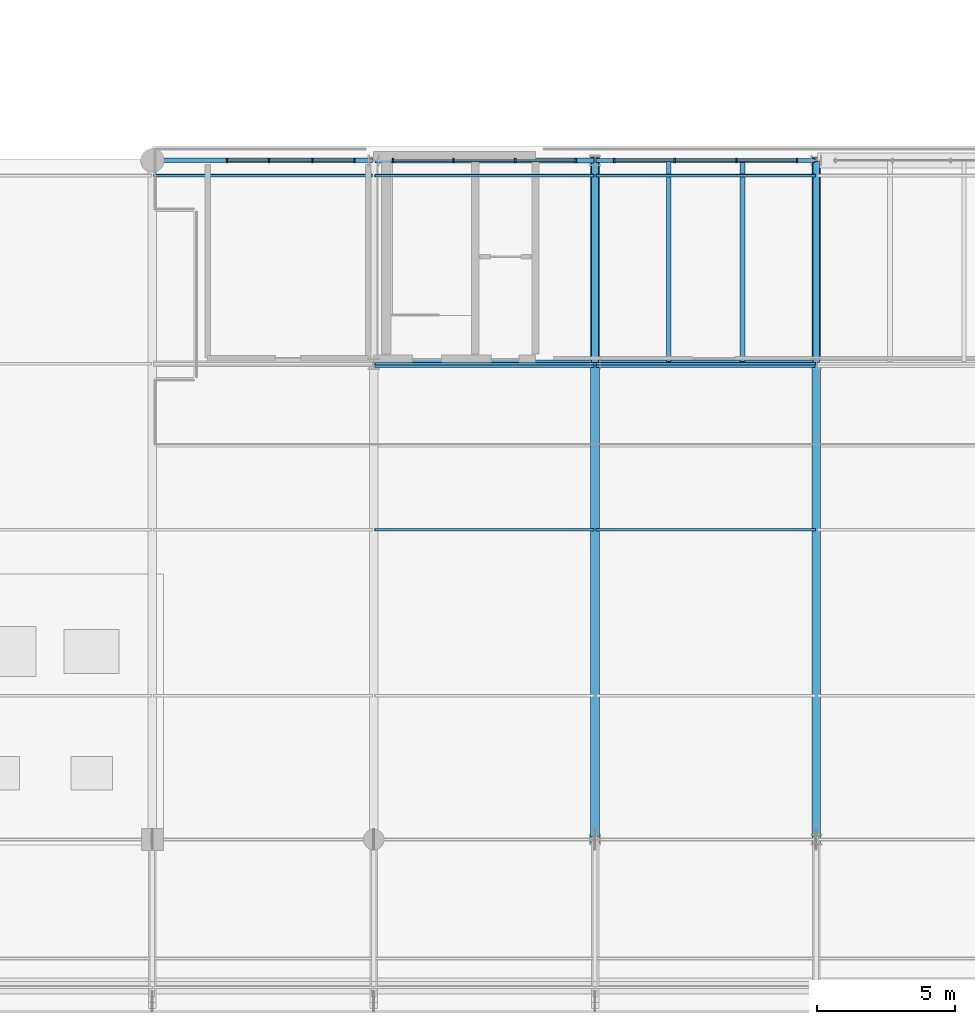
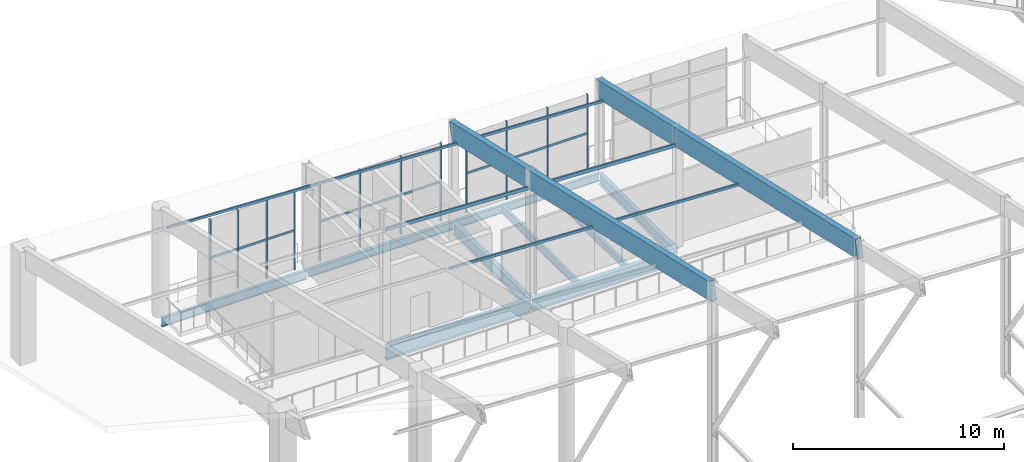
# One storey, part 15 of 51: 28 members, 11 beams, 3 elements without a shape of their own.
"""IFC4 building model written with IfcOpenShell, lengths in metres."""

from ifc_helpers import new_model, si_unit, direction, frame, origin, origin_2d, place, context, subcontext, project, spatial, rectangle, hollow_rectangle, i_section, extrude, material, material_profile, profile_set, type_object, element, aggregate, save


model = new_model("IFC4")

# Units and contexts
model_context = context("Model", 3, precision=1e-05, world=origin(), true_north=direction((0.0, 1.0)))
body_context = subcontext(model_context, "Body", "Model", "MODEL_VIEW")
ifc_project = project(units=[si_unit("LENGTHUNIT", "METRE"), si_unit("AREAUNIT", "SQUARE_METRE"), si_unit("VOLUMEUNIT", "CUBIC_METRE"), si_unit("PLANEANGLEUNIT", "RADIAN"), si_unit("MASSUNIT", "GRAM", prefix="KILO")], contexts=[model_context])

# Site, building, storey
site_placement = place(None, origin())
site = spatial("IfcSite", under=ifc_project, at=site_placement, CompositionType="ELEMENT")
building_placement = place(site_placement, origin())
building = spatial("IfcBuilding", under=site, at=building_placement, Name="Brisemont Oceanarium", CompositionType="ELEMENT")
storey_placement = place(building_placement, frame((0.0, 0.0, 15.0)))
storey = spatial("IfcBuildingStorey", under=building, at=storey_placement, Name="L03", CompositionType="ELEMENT", Elevation=15.0)

# Beams
ifc_material_1 = material(Name="Glulam Timber 24F-V4 DF", Category="wood")
ifc_material_profile_1 = material_profile(ifc_material_1, rectangle(XDim=0.31103515625, YDim=1.06689453125, at=origin_2d()), Name="GL-311X1067")
ifc_profile_set_1 = profile_set([ifc_material_profile_1], Name="Glulam Timber 24F-V4 DF")
beam_type_1 = type_object("IfcBeamType", Name="BM-GL311X1067", PredefinedType="BEAM", material=ifc_profile_set_1)
for number, where, z_axis, x_axis, name in (
    (1, (32.0, 6.800048828125, 10.585205078125), (0.0, 0.974789933818, -0.223124595072), (-1.0, 0.0, 0.0), "V2 upswept hall exposed glulam main rafter 4"),
    (2, (40.0, 6.800048828125, 10.243408203125), (0.0, 0.974789933818, -0.223124595072), (-1.0, 0.0, 0.0), "V2 upswept hall exposed glulam main rafter 5"),
):
    element("IfcBeam", number, at=place(storey_placement, frame(where, z_axis=z_axis, x_axis=x_axis)), inside=storey, type_object=beam_type_1, Name=name, PredefinedType="BEAM", context=body_context, shape_type="SweptSolid", body=[
        extrude(rectangle(XDim=0.31103515625, YDim=1.06689453125, at=origin_2d()), origin(), (0.0, 0.0, 1.0), 25.18505859375),
    ])
ifc_material_2 = material(Name="Structural Steel ASTM A992 Gr.50", Category="steel")
ifc_material_profile_2 = material_profile(ifc_material_2, i_section(OverallWidth=0.177978515625, OverallDepth=0.404052734375, WebThickness=0.007568359375, FlangeThickness=0.010986328125, FilletRadius=0.010009765625, at=origin_2d()), Name="W16X36")
ifc_profile_set_2 = profile_set([ifc_material_profile_2], Name="Structural Steel ASTM A992 Gr.50")
beam_type_2 = type_object("IfcBeamType", Name="BM-W16X36", PredefinedType="JOIST", material=ifc_profile_set_2)
beam_1_placement = place(storey_placement, frame((37.333251953125, 24.090087890625, -0.44189453125), z_axis=(0.0, 1.0, 0.0), x_axis=(-1.0, 0.0, 0.0)))
element("IfcBeam", 3, at=beam_1_placement, inside=storey, type_object=beam_type_2, Name="V2 L03 secondary floor beam", PredefinedType="JOIST", context=body_context, shape_type="SweptSolid", body=[
    extrude(i_section(OverallWidth=0.177978515625, OverallDepth=0.404052734375, WebThickness=0.007568359375, FlangeThickness=0.010986328125, FilletRadius=0.010009765625, at=origin_2d()), origin(), (0.0, 0.0, 1.0), 7.219970703125),
])
ifc_material_3 = material(Name="Structural Steel ASTM A992 Gr.50", Category="steel")
ifc_material_profile_3 = material_profile(ifc_material_3, i_section(OverallWidth=0.153076171875, OverallDepth=0.455078125, WebThickness=0.008056640625, FlangeThickness=0.01318359375, FilletRadius=0.010986328125, at=origin_2d()), Name="W18X40")
ifc_profile_set_3 = profile_set([ifc_material_profile_3], Name="Structural Steel ASTM A992 Gr.50")
beam_type_3 = type_object("IfcBeamType", Name="BM-W18X40", PredefinedType="JOIST", material=ifc_profile_set_3)
beam_2_placement = place(storey_placement, frame((34.666748046875, 24.090087890625, -0.467529296875), z_axis=(0.0, 1.0, 0.0), x_axis=(-1.0, 0.0, 0.0)))
element("IfcBeam", 4, at=beam_2_placement, inside=storey, type_object=beam_type_3, Name="V2 L03 secondary floor beam", PredefinedType="JOIST", context=body_context, shape_type="SweptSolid", body=[
    extrude(i_section(OverallWidth=0.153076171875, OverallDepth=0.455078125, WebThickness=0.008056640625, FlangeThickness=0.01318359375, FilletRadius=0.010986328125, at=origin_2d()), origin(), (0.0, 0.0, 1.0), 7.219970703125),
])
ifc_material_4 = material(Name="Structural Steel ASTM A992 Gr.50", Category="steel")
ifc_material_profile_4 = material_profile(ifc_material_4, i_section(OverallWidth=0.154052734375, OverallDepth=0.458984375, WebThickness=0.009033203125, FlangeThickness=0.015380859375, FilletRadius=0.010986328125, at=origin_2d()), Name="W18X46")
ifc_profile_set_4 = profile_set([ifc_material_profile_4], Name="Structural Steel ASTM A992 Gr.50")
beam_type_4 = type_object("IfcBeamType", Name="BM-W18X46", PredefinedType="SPANDREL", material=ifc_profile_set_4)
beam_3_placement = place(storey_placement, frame((32.0400390625, 31.35009765625, -0.469482421875), z_axis=(1.0, 0.0, 0.0), x_axis=(0.0, 1.0, 0.0)))
element("IfcBeam", 5, at=beam_3_placement, inside=storey, type_object=beam_type_4, Name="V2 L03 EW girder", PredefinedType="SPANDREL", context=body_context, shape_type="SweptSolid", body=[
    extrude(i_section(OverallWidth=0.154052734375, OverallDepth=0.458984375, WebThickness=0.009033203125, FlangeThickness=0.015380859375, FilletRadius=0.010986328125, at=origin_2d()), origin(), (0.0, 0.0, 1.0), 7.919921875),
])
ifc_material_5 = material(Name="Structural Steel ASTM A992 Gr.50", Category="steel")
ifc_material_profile_5 = material_profile(ifc_material_5, i_section(OverallWidth=0.19091796875, OverallDepth=0.4599609375, WebThickness=0.010009765625, FlangeThickness=0.01611328125, FilletRadius=0.010986328125, at=origin_2d()), Name="W18X55")
ifc_profile_set_5 = profile_set([ifc_material_profile_5], Name="Structural Steel ASTM A992 Gr.50")
beam_type_5 = type_object("IfcBeamType", Name="BM-W18X55", PredefinedType="SPANDREL", material=ifc_profile_set_5)
beam_4_placement = place(storey_placement, frame((24.0400390625, 31.35009765625, -0.469970703125), z_axis=(1.0, 0.0, 0.0), x_axis=(0.0, 1.0, 0.0)))
element("IfcBeam", 6, at=beam_4_placement, inside=storey, type_object=beam_type_5, Name="V2 L03 EW girder", PredefinedType="SPANDREL", context=body_context, shape_type="SweptSolid", body=[
    extrude(i_section(OverallWidth=0.19091796875, OverallDepth=0.4599609375, WebThickness=0.010009765625, FlangeThickness=0.01611328125, FilletRadius=0.010986328125, at=origin_2d()), origin(), (0.0, 0.0, 1.0), 7.919921875),
])
ifc_material_6 = material(Name="Structural Steel ASTM A992 Gr.50", Category="steel")
ifc_material_profile_6 = material_profile(ifc_material_6, i_section(OverallWidth=0.166015625, OverallDepth=0.528076171875, WebThickness=0.009765625, FlangeThickness=0.013671875, FilletRadius=0.012939453125, at=origin_2d()), Name="W21X50")
ifc_profile_set_6 = profile_set([ifc_material_profile_6], Name="Structural Steel ASTM A992 Gr.50")
beam_type_6 = type_object("IfcBeamType", Name="BM-W21X50", PredefinedType="SPANDREL", material=ifc_profile_set_6)
beam_5_placement = place(storey_placement, frame((16.0400390625, 31.35009765625, -0.50390625), z_axis=(1.0, 0.0, 0.0), x_axis=(0.0, 1.0, 0.0)))
element("IfcBeam", 7, at=beam_5_placement, inside=storey, type_object=beam_type_6, Name="V2 L03 EW girder", PredefinedType="SPANDREL", context=body_context, shape_type="SweptSolid", body=[
    extrude(i_section(OverallWidth=0.166015625, OverallDepth=0.528076171875, WebThickness=0.009765625, FlangeThickness=0.013671875, FilletRadius=0.012939453125, at=origin_2d()), origin(), (0.0, 0.0, 1.0), 7.919921875),
])
ifc_material_7 = material(Name="Structural Steel ASTM A992 Gr.50", Category="steel")
ifc_material_profile_7 = material_profile(ifc_material_7, i_section(OverallWidth=0.22900390625, OverallDepth=0.612060546875, WebThickness=0.011962890625, FlangeThickness=0.01953125, FilletRadius=0.012939453125, at=origin_2d()), Name="W24X84")
ifc_profile_set_7 = profile_set([ifc_material_profile_7], Name="Structural Steel ASTM A992 Gr.50")
beam_type_7 = type_object("IfcBeamType", Name="BM-W24X84", PredefinedType="BEAM", material=ifc_profile_set_7)
beam_6_placement = place(storey_placement, frame((40.0, 24.0400390625, -0.5458984375), z_axis=(0.0, 1.0, 0.0), x_axis=(-1.0, 0.0, 0.0)))
element("IfcBeam", 8, at=beam_6_placement, inside=storey, type_object=beam_type_7, Name="V2 L03 NS girder", PredefinedType="BEAM", context=body_context, shape_type="SweptSolid", body=[
    extrude(i_section(OverallWidth=0.22900390625, OverallDepth=0.612060546875, WebThickness=0.011962890625, FlangeThickness=0.01953125, FilletRadius=0.012939453125, at=origin_2d()), origin(), (0.0, 0.0, 1.0), 7.27001953125),
])
ifc_material_8 = material(Name="Structural Steel ASTM A992 Gr.50", Category="steel")
ifc_material_profile_8 = material_profile(ifc_material_8, i_section(OverallWidth=0.2529296875, OverallDepth=0.677978515625, WebThickness=0.01171875, FlangeThickness=0.016357421875, FilletRadius=0.014892578125, at=origin_2d()), Name="W27X84")
ifc_profile_set_8 = profile_set([ifc_material_profile_8], Name="Structural Steel ASTM A992 Gr.50")
beam_type_8 = type_object("IfcBeamType", Name="BM-W27X84", PredefinedType="BEAM", material=ifc_profile_set_8)
beam_7_placement = place(storey_placement, frame((32.0, 24.0400390625, -0.5791015625), z_axis=(0.0, 1.0, 0.0), x_axis=(-1.0, 0.0, 0.0)))
element("IfcBeam", 9, at=beam_7_placement, inside=storey, type_object=beam_type_8, Name="V2 L03 NS girder", PredefinedType="BEAM", context=body_context, shape_type="SweptSolid", body=[
    extrude(i_section(OverallWidth=0.2529296875, OverallDepth=0.677978515625, WebThickness=0.01171875, FlangeThickness=0.016357421875, FilletRadius=0.014892578125, at=origin_2d()), origin(), (0.0, 0.0, 1.0), 7.27001953125),
])
ifc_material_9 = material(Name="Structural Steel ASTM A992 Gr.50", Category="steel")
ifc_material_profile_9 = material_profile(ifc_material_9, i_section(OverallWidth=0.26708984375, OverallDepth=0.761962890625, WebThickness=0.014404296875, FlangeThickness=0.021484375, FilletRadius=0.01611328125, at=origin_2d()), Name="W30X116")
ifc_profile_set_9 = profile_set([ifc_material_profile_9], Name="Structural Steel ASTM A992 Gr.50")
beam_type_9 = type_object("IfcBeamType", Name="BM-W30X116", PredefinedType="BEAM", material=ifc_profile_set_9)
beam_8_placement = place(storey_placement, frame((24.0400390625, 24.0, -0.62109375), z_axis=(1.0, 0.0, 0.0), x_axis=(0.0, 1.0, 0.0)))
element("IfcBeam", 10, at=beam_8_placement, inside=storey, type_object=beam_type_9, Name="V2 L03 EW girder", PredefinedType="BEAM", context=body_context, shape_type="SweptSolid", body=[
    extrude(i_section(OverallWidth=0.26708984375, OverallDepth=0.761962890625, WebThickness=0.014404296875, FlangeThickness=0.021484375, FilletRadius=0.01611328125, at=origin_2d()), origin(), (0.0, 0.0, 1.0), 7.919921875),
])
ifc_material_10 = material(Name="Structural Steel ASTM A992 Gr.50", Category="steel")
ifc_material_profile_10 = material_profile(ifc_material_10, i_section(OverallWidth=0.264892578125, OverallDepth=0.7529296875, WebThickness=0.01318359375, FlangeThickness=0.01708984375, FilletRadius=0.01611328125, at=origin_2d()), Name="W30X99")
ifc_profile_set_10 = profile_set([ifc_material_profile_10], Name="Structural Steel ASTM A992 Gr.50")
beam_type_10 = type_object("IfcBeamType", Name="BM-W30X99", PredefinedType="BEAM", material=ifc_profile_set_10)
beam_9_placement = place(storey_placement, frame((32.0400390625, 24.0, -0.616455078125), z_axis=(1.0, 0.0, 0.0), x_axis=(0.0, 1.0, 0.0)))
element("IfcBeam", 11, at=beam_9_placement, inside=storey, type_object=beam_type_10, Name="V2 L03 EW girder", PredefinedType="BEAM", context=body_context, shape_type="SweptSolid", body=[
    extrude(i_section(OverallWidth=0.264892578125, OverallDepth=0.7529296875, WebThickness=0.01318359375, FlangeThickness=0.01708984375, FilletRadius=0.01611328125, at=origin_2d()), origin(), (0.0, 0.0, 1.0), 7.919921875),
])

# Curtain wall, members
ifc_material_11 = material(Name="Anodized Extruded Aluminum 6063-T6", Category="aluminium")
curtain_wall_type = type_object("IfcCurtainWallType", Name="CW-CLR-58X36", PredefinedType="NOTDEFINED", material=ifc_material_11)
curtain_wall_1_placement = place(storey_placement, origin())
curtain_wall_1 = element("IfcCurtainWall", 12, at=curtain_wall_1_placement, inside=storey, type_object=curtain_wall_type, Name="CW-21 curtain wall CW-V2-N-L03-01", PredefinedType="NOTDEFINED")
ifc_material_12 = material(Name="Anodized Extruded Aluminum 6063-T6", Category="aluminium")
ifc_material_profile_11 = material_profile(ifc_material_12, rectangle(XDim=0.06005859375, YDim=0.14990234375, at=origin_2d()), Name="CWM-60X150")
ifc_profile_set_11 = profile_set([ifc_material_profile_11], Name="Anodized Extruded Aluminum 6063-T6")
member_type_1 = type_object("IfcMemberType", Name="MEM-CWM-60", PredefinedType="MULLION", material=ifc_profile_set_11)
member_1_placement = place(storey_placement, frame((18.695068359375, 31.35009765625, 0.0), z_axis=(0.0, 0.0, 1.0), x_axis=(1.0, 0.0, 0.0)))
member_1 = element("IfcMember", 13, at=member_1_placement, type_object=member_type_1, Name="CW-V2-N-L03-01 mullion 1", PredefinedType="MULLION", context=body_context, shape_type="SweptSolid", body=[
    extrude(rectangle(XDim=0.06005859375, YDim=0.14990234375, at=origin_2d()), origin(), (0.0, 0.0, 1.0), 4.52001953125),
])
member_2_placement = place(storey_placement, frame((20.216796875, 31.35009765625, 0.0), z_axis=(0.0, 0.0, 1.0), x_axis=(1.0, 0.0, 0.0)))
member_2 = element("IfcMember", 14, at=member_2_placement, type_object=member_type_1, Name="CW-V2-N-L03-01 mullion 2", PredefinedType="MULLION", context=body_context, shape_type="SweptSolid", body=[
    extrude(rectangle(XDim=0.06005859375, YDim=0.14990234375, at=origin_2d()), origin(), (0.0, 0.0, 1.0), 4.52001953125),
])
member_3_placement = place(storey_placement, frame((21.783203125, 31.35009765625, 0.0), z_axis=(0.0, 0.0, 1.0), x_axis=(1.0, 0.0, 0.0)))
member_3 = element("IfcMember", 15, at=member_3_placement, type_object=member_type_1, Name="CW-V2-N-L03-01 mullion 3", PredefinedType="MULLION", context=body_context, shape_type="SweptSolid", body=[
    extrude(rectangle(XDim=0.06005859375, YDim=0.14990234375, at=origin_2d()), origin(), (0.0, 0.0, 1.0), 4.52001953125),
])
member_4_placement = place(storey_placement, frame((23.304931640625, 31.35009765625, 0.0), z_axis=(0.0, 0.0, 1.0), x_axis=(1.0, 0.0, 0.0)))
member_4 = element("IfcMember", 16, at=member_4_placement, type_object=member_type_1, Name="CW-V2-N-L03-01 mullion 4", PredefinedType="MULLION", context=body_context, shape_type="SweptSolid", body=[
    extrude(rectangle(XDim=0.06005859375, YDim=0.14990234375, at=origin_2d()), origin(), (0.0, 0.0, 1.0), 4.52001953125),
])

curtain_wall_2_placement = place(storey_placement, origin())
curtain_wall_2 = element("IfcCurtainWall", 17, at=curtain_wall_2_placement, inside=storey, type_object=curtain_wall_type, Name="CW-21 curtain wall CW-V2-N-L03-02", PredefinedType="NOTDEFINED")
member_5_placement = place(storey_placement, frame((24.695068359375, 31.35009765625, 0.0), z_axis=(0.0, 0.0, 1.0), x_axis=(1.0, 0.0, 0.0)))
member_5 = element("IfcMember", 18, at=member_5_placement, type_object=member_type_1, Name="CW-V2-N-L03-02 mullion 1", PredefinedType="MULLION", context=body_context, shape_type="SweptSolid", body=[
    extrude(rectangle(XDim=0.06005859375, YDim=0.14990234375, at=origin_2d()), origin(), (0.0, 0.0, 1.0), 4.52001953125),
])
member_6_placement = place(storey_placement, frame((26.88330078125, 31.35009765625, 0.0), z_axis=(0.0, 0.0, 1.0), x_axis=(1.0, 0.0, 0.0)))
member_6 = element("IfcMember", 19, at=member_6_placement, type_object=member_type_1, Name="CW-V2-N-L03-02 mullion 2", PredefinedType="MULLION", context=body_context, shape_type="SweptSolid", body=[
    extrude(rectangle(XDim=0.06005859375, YDim=0.14990234375, at=origin_2d()), origin(), (0.0, 0.0, 1.0), 4.52001953125),
])
member_7_placement = place(storey_placement, frame((29.11669921875, 31.35009765625, 0.0), z_axis=(0.0, 0.0, 1.0), x_axis=(1.0, 0.0, 0.0)))
member_7 = element("IfcMember", 20, at=member_7_placement, type_object=member_type_1, Name="CW-V2-N-L03-02 mullion 3", PredefinedType="MULLION", context=body_context, shape_type="SweptSolid", body=[
    extrude(rectangle(XDim=0.06005859375, YDim=0.14990234375, at=origin_2d()), origin(), (0.0, 0.0, 1.0), 4.52001953125),
])
member_8_placement = place(storey_placement, frame((31.304931640625, 31.35009765625, 0.0), z_axis=(0.0, 0.0, 1.0), x_axis=(1.0, 0.0, 0.0)))
member_8 = element("IfcMember", 21, at=member_8_placement, type_object=member_type_1, Name="CW-V2-N-L03-02 mullion 4", PredefinedType="MULLION", context=body_context, shape_type="SweptSolid", body=[
    extrude(rectangle(XDim=0.06005859375, YDim=0.14990234375, at=origin_2d()), origin(), (0.0, 0.0, 1.0), 4.52001953125),
])

curtain_wall_3_placement = place(storey_placement, origin())
curtain_wall_3 = element("IfcCurtainWall", 22, at=curtain_wall_3_placement, inside=storey, type_object=curtain_wall_type, Name="CW-21 curtain wall CW-V2-N-L03-03", PredefinedType="NOTDEFINED")
member_9_placement = place(storey_placement, frame((32.695068359375, 31.35009765625, 0.0), z_axis=(0.0, 0.0, 1.0), x_axis=(1.0, 0.0, 0.0)))
member_9 = element("IfcMember", 23, at=member_9_placement, type_object=member_type_1, Name="CW-V2-N-L03-03 mullion 1", PredefinedType="MULLION", context=body_context, shape_type="SweptSolid", body=[
    extrude(rectangle(XDim=0.06005859375, YDim=0.14990234375, at=origin_2d()), origin(), (0.0, 0.0, 1.0), 4.52001953125),
])
member_10_placement = place(storey_placement, frame((34.88330078125, 31.35009765625, 0.0), z_axis=(0.0, 0.0, 1.0), x_axis=(1.0, 0.0, 0.0)))
member_10 = element("IfcMember", 24, at=member_10_placement, type_object=member_type_1, Name="CW-V2-N-L03-03 mullion 2", PredefinedType="MULLION", context=body_context, shape_type="SweptSolid", body=[
    extrude(rectangle(XDim=0.06005859375, YDim=0.14990234375, at=origin_2d()), origin(), (0.0, 0.0, 1.0), 4.52001953125),
])
member_11_placement = place(storey_placement, frame((37.11669921875, 31.35009765625, 0.0), z_axis=(0.0, 0.0, 1.0), x_axis=(1.0, 0.0, 0.0)))
member_11 = element("IfcMember", 25, at=member_11_placement, type_object=member_type_1, Name="CW-V2-N-L03-03 mullion 3", PredefinedType="MULLION", context=body_context, shape_type="SweptSolid", body=[
    extrude(rectangle(XDim=0.06005859375, YDim=0.14990234375, at=origin_2d()), origin(), (0.0, 0.0, 1.0), 4.52001953125),
])
member_12_placement = place(storey_placement, frame((39.304931640625, 31.35009765625, 0.0), z_axis=(0.0, 0.0, 1.0), x_axis=(1.0, 0.0, 0.0)))
member_12 = element("IfcMember", 26, at=member_12_placement, type_object=member_type_1, Name="CW-V2-N-L03-03 mullion 4", PredefinedType="MULLION", context=body_context, shape_type="SweptSolid", body=[
    extrude(rectangle(XDim=0.06005859375, YDim=0.14990234375, at=origin_2d()), origin(), (0.0, 0.0, 1.0), 4.52001953125),
])

# Member
ifc_material_13 = material(Name="Anodized Extruded Aluminum 6063-T6", Category="aluminium")
ifc_material_profile_12 = material_profile(ifc_material_13, rectangle(XDim=0.06005859375, YDim=0.1201171875, at=origin_2d()), Name="CWT-60X120")
ifc_profile_set_12 = profile_set([ifc_material_profile_12], Name="Anodized Extruded Aluminum 6063-T6")
member_type_2 = type_object("IfcMemberType", Name="MEM-CWT-60", PredefinedType="USERDEFINED", material=ifc_profile_set_12)
member_13_placement = place(storey_placement, frame((18.6650390625, 31.35009765625, 2.260009765625), z_axis=(1.0, 0.0, 0.0), x_axis=(0.0, 1.0, 0.0)))
member_13 = element("IfcMember", 27, at=member_13_placement, type_object=member_type_2, Name="CW-V2-N-L03-01 transom 1.1", ObjectType="TRANSOM", PredefinedType="USERDEFINED", context=body_context, shape_type="SweptSolid", body=[
    extrude(rectangle(XDim=0.06005859375, YDim=0.1201171875, at=origin_2d()), origin(), (0.0, 0.0, 1.0), 1.53662109375),
])

member_14_placement = place(storey_placement, frame((20.231689453125, 31.35009765625, 2.260009765625), z_axis=(1.0, 0.0, 0.0), x_axis=(0.0, 1.0, 0.0)))
member_14 = element("IfcMember", 28, at=member_14_placement, type_object=member_type_2, Name="CW-V2-N-L03-01 transom 2.1", ObjectType="TRANSOM", PredefinedType="USERDEFINED", context=body_context, shape_type="SweptSolid", body=[
    extrude(rectangle(XDim=0.06005859375, YDim=0.1201171875, at=origin_2d()), origin(), (0.0, 0.0, 1.0), 1.53662109375),
])

member_15_placement = place(storey_placement, frame((21.79833984375, 31.35009765625, 2.260009765625), z_axis=(1.0, 0.0, 0.0), x_axis=(0.0, 1.0, 0.0)))
member_15 = element("IfcMember", 29, at=member_15_placement, type_object=member_type_2, Name="CW-V2-N-L03-01 transom 3.1", ObjectType="TRANSOM", PredefinedType="USERDEFINED", context=body_context, shape_type="SweptSolid", body=[
    extrude(rectangle(XDim=0.06005859375, YDim=0.1201171875, at=origin_2d()), origin(), (0.0, 0.0, 1.0), 1.53662109375),
])

aggregate(curtain_wall_1, [member_1, member_2, member_3, member_4, member_13, member_14, member_15])

member_16_placement = place(storey_placement, frame((24.6650390625, 31.35009765625, 2.260009765625), z_axis=(1.0, 0.0, 0.0), x_axis=(0.0, 1.0, 0.0)))
member_16 = element("IfcMember", 30, at=member_16_placement, type_object=member_type_2, Name="CW-V2-N-L03-02 transom 1.1", ObjectType="TRANSOM", PredefinedType="USERDEFINED", context=body_context, shape_type="SweptSolid", body=[
    extrude(rectangle(XDim=0.06005859375, YDim=0.1201171875, at=origin_2d()), origin(), (0.0, 0.0, 1.0), 2.203369140625),
])

member_17_placement = place(storey_placement, frame((26.898193359375, 31.35009765625, 2.260009765625), z_axis=(1.0, 0.0, 0.0), x_axis=(0.0, 1.0, 0.0)))
member_17 = element("IfcMember", 31, at=member_17_placement, type_object=member_type_2, Name="CW-V2-N-L03-02 transom 2.1", ObjectType="TRANSOM", PredefinedType="USERDEFINED", context=body_context, shape_type="SweptSolid", body=[
    extrude(rectangle(XDim=0.06005859375, YDim=0.1201171875, at=origin_2d()), origin(), (0.0, 0.0, 1.0), 2.20361328125),
])

member_18_placement = place(storey_placement, frame((29.131591796875, 31.35009765625, 2.260009765625), z_axis=(1.0, 0.0, 0.0), x_axis=(0.0, 1.0, 0.0)))
member_18 = element("IfcMember", 32, at=member_18_placement, type_object=member_type_2, Name="CW-V2-N-L03-02 transom 3.1", ObjectType="TRANSOM", PredefinedType="USERDEFINED", context=body_context, shape_type="SweptSolid", body=[
    extrude(rectangle(XDim=0.06005859375, YDim=0.1201171875, at=origin_2d()), origin(), (0.0, 0.0, 1.0), 2.203369140625),
])

aggregate(curtain_wall_2, [member_5, member_6, member_7, member_8, member_16, member_17, member_18])

member_19_placement = place(storey_placement, frame((32.6650390625, 31.35009765625, 2.260009765625), z_axis=(1.0, 0.0, 0.0), x_axis=(0.0, 1.0, 0.0)))
member_19 = element("IfcMember", 33, at=member_19_placement, type_object=member_type_2, Name="CW-V2-N-L03-03 transom 1.1", ObjectType="TRANSOM", PredefinedType="USERDEFINED", context=body_context, shape_type="SweptSolid", body=[
    extrude(rectangle(XDim=0.06005859375, YDim=0.1201171875, at=origin_2d()), origin(), (0.0, 0.0, 1.0), 2.203369140625),
])

member_20_placement = place(storey_placement, frame((34.898193359375, 31.35009765625, 2.260009765625), z_axis=(1.0, 0.0, 0.0), x_axis=(0.0, 1.0, 0.0)))
member_20 = element("IfcMember", 34, at=member_20_placement, type_object=member_type_2, Name="CW-V2-N-L03-03 transom 2.1", ObjectType="TRANSOM", PredefinedType="USERDEFINED", context=body_context, shape_type="SweptSolid", body=[
    extrude(rectangle(XDim=0.06005859375, YDim=0.1201171875, at=origin_2d()), origin(), (0.0, 0.0, 1.0), 2.20361328125),
])

member_21_placement = place(storey_placement, frame((37.131591796875, 31.35009765625, 2.260009765625), z_axis=(1.0, 0.0, 0.0), x_axis=(0.0, 1.0, 0.0)))
member_21 = element("IfcMember", 35, at=member_21_placement, type_object=member_type_2, Name="CW-V2-N-L03-03 transom 3.1", ObjectType="TRANSOM", PredefinedType="USERDEFINED", context=body_context, shape_type="SweptSolid", body=[
    extrude(rectangle(XDim=0.06005859375, YDim=0.1201171875, at=origin_2d()), origin(), (0.0, 0.0, 1.0), 2.203369140625),
])

aggregate(curtain_wall_3, [member_9, member_10, member_11, member_12, member_19, member_20, member_21])

# Members
ifc_material_14 = material(Name="Structural Steel ASTM A500 Gr.C", Category="steel")
ifc_material_profile_13 = material_profile(ifc_material_14, hollow_rectangle(XDim=0.10205078125, YDim=0.152099609375, WallThickness=0.00732421875, InnerFilletRadius=0.007568359375, OuterFilletRadius=0.014892578125, at=origin_2d()), Name="HSS6X4X5/16")
ifc_profile_set_13 = profile_set([ifc_material_profile_13], Name="Structural Steel ASTM A500 Gr.C")
member_type_3 = type_object("IfcMemberType", Name="MEM-PU-HSS6X4", PredefinedType="PURLIN", material=ifc_profile_set_13)
for number, where, z_axis, x_axis, name in (
    (36, (16.0400390625, 30.800048828125, 5.2890625), (0.999088533543, 0.0, -0.042686088394), (0.0, 1.0, 0.0), "V2 upswept roof steel purlin 2.6"),
    (37, (24.0400390625, 18.0, 7.877197265625), (0.999088533543, 0.0, -0.042686088394), (0.0, 1.0, 0.0), "V2 upswept roof steel purlin 3.4"),
    (38, (24.0400390625, 30.800048828125, 4.947265625), (0.999088533543, 0.0, -0.042686088394), (0.0, 1.0, 0.0), "V2 upswept roof steel purlin 3.6"),
    (39, (32.0400390625, 18.0, 7.535400390625), (0.999088533543, 0.0, -0.042686088394), (0.0, 1.0, 0.0), "V2 upswept roof steel purlin 4.4"),
    (40, (32.0400390625, 30.800048828125, 4.60546875), (0.999088533543, 0.0, -0.042686088394), (0.0, 1.0, 0.0), "V2 upswept roof steel purlin 4.6"),
):
    element("IfcMember", number, at=place(storey_placement, frame(where, z_axis=z_axis, x_axis=x_axis)), inside=storey, type_object=member_type_3, Name=name, PredefinedType="PURLIN", context=body_context, shape_type="SweptSolid", body=[
        extrude(hollow_rectangle(XDim=0.10205078125, YDim=0.152099609375, WallThickness=0.00732421875, InnerFilletRadius=0.007568359375, OuterFilletRadius=0.014892578125, at=origin_2d()), origin(), (0.0, 0.0, 1.0), 7.92724609375),
    ])
ifc_material_15 = material(Name="Structural Steel ASTM A500 Gr.C", Category="steel")
ifc_material_profile_14 = material_profile(ifc_material_15, hollow_rectangle(XDim=0.10205078125, YDim=0.202880859375, WallThickness=0.00732421875, InnerFilletRadius=0.007568359375, OuterFilletRadius=0.014892578125, at=origin_2d()), Name="HSS8X4X5/16")
ifc_profile_set_14 = profile_set([ifc_material_profile_14], Name="Structural Steel ASTM A500 Gr.C")
member_type_4 = type_object("IfcMemberType", Name="MEM-PU-HSS8X4", PredefinedType="PURLIN", material=ifc_profile_set_14)
for number, where, z_axis, x_axis, name in (
    (41, (24.0400390625, 24.0, 6.503662109375), (0.999088533543, 0.0, -0.042686088394), (0.0, 1.0, 0.0), "V2 upswept roof steel purlin 3.5"),
    (42, (32.0400390625, 24.0, 6.161865234375), (0.999088533543, 0.0, -0.042686088394), (0.0, 1.0, 0.0), "V2 upswept roof steel purlin 4.5"),
):
    element("IfcMember", number, at=place(storey_placement, frame(where, z_axis=z_axis, x_axis=x_axis)), inside=storey, type_object=member_type_4, Name=name, PredefinedType="PURLIN", context=body_context, shape_type="SweptSolid", body=[
        extrude(hollow_rectangle(XDim=0.10205078125, YDim=0.202880859375, WallThickness=0.00732421875, InnerFilletRadius=0.007568359375, OuterFilletRadius=0.014892578125, at=origin_2d()), origin(), (0.0, 0.0, 1.0), 7.92724609375),
    ])

save(model, "model.ifc")
